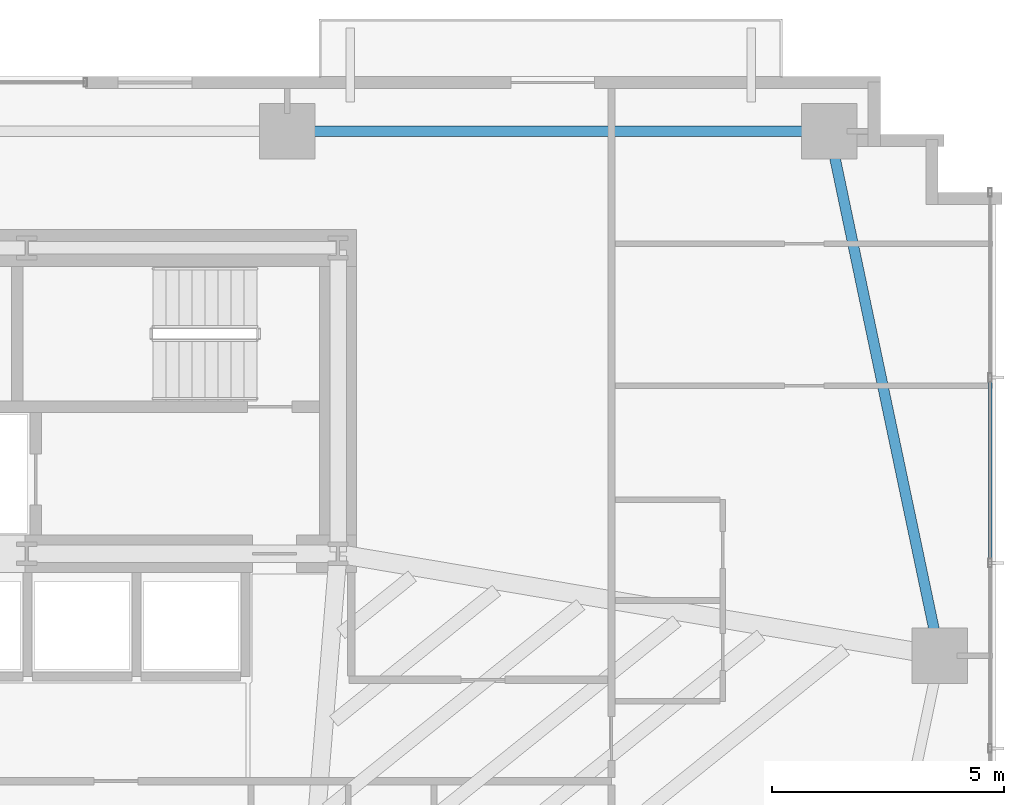
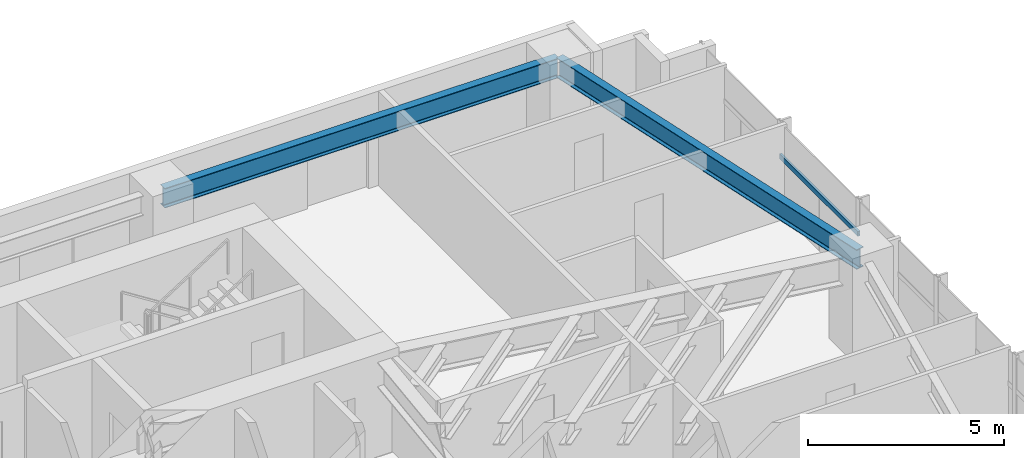
# One storey, part 16 of 25: 2 beams, 1 member, 1 element without a shape of its own.
"""IFC4 building model written with IfcOpenShell, lengths in metres."""

import ifcopenshell
import ifcopenshell.guid

model = None  # the IFC model being written
_history = None  # IfcOwnerHistory: only IFC2X3 demands one
_inside = {}  # id of a spatial element -> (the spatial element, [elements in it])
_under = {}  # id of a project, library or spatial element -> (it, [spatial elements below it])
_declared = {}  # id of a project -> (the project, [libraries it declares])
_typed = {}  # id of a type object -> (the type object, [elements of that type])
_made_of = {}  # id of a material, layer set ... -> (it, [elements and type objects made of it])


def new_model(schema):
    """Start an empty IFC model of exactly this schema.

    Asked for "IFC4X3", IfcOpenShell would pick the latest addendum, in which some entities
    have other attributes; the version numbers below select the first issue.
    IFC2X3 requires an IfcOwnerHistory on every rooted entity: one is made here for all.
    """
    global model, _history
    if schema == "IFC4X3":
        model = ifcopenshell.file(schema_version=(4, 3, 0, 0))
    else:
        model = ifcopenshell.file(schema=schema)
    _inside.clear()
    _under.clear()
    _declared.clear()
    _typed.clear()
    _made_of.clear()
    _history = None
    if model.schema == "IFC2X3":
        org = make("IfcOrganization", Name="unknown")
        user = make(
            "IfcPersonAndOrganization",
            ThePerson=make("IfcPerson", FamilyName="unknown"),
            TheOrganization=org,
        )
        app = make(
            "IfcApplication",
            ApplicationDeveloper=org,
            Version="unknown",
            ApplicationFullName="unknown",
            ApplicationIdentifier="unknown",
        )
        _history = make(
            "IfcOwnerHistory",
            OwningUser=user,
            OwningApplication=app,
            ChangeAction="ADDED",
            CreationDate=0,
        )
    return model


def make(cls, **values):
    """One entity of the class cls with the attributes given. An attribute that is None is left unset."""
    return model.create_entity(
        cls, **{name: value for name, value in values.items() if value is not None}
    )


def rooted(cls, **values):
    """An entity with a GlobalId (a new one), such as an element, a storey or a relation."""
    return make(cls, GlobalId=ifcopenshell.guid.new(), OwnerHistory=_history, **values)


def si_unit(unit_type, name, prefix=None):
    """IfcSIUnit, for example si_unit("LENGTHUNIT", "METRE", prefix="MILLI")."""
    return make("IfcSIUnit", UnitType=unit_type, Prefix=prefix, Name=name)


def assignment(units):
    """IfcUnitAssignment: the units of a project."""
    return None if units is None else make("IfcUnitAssignment", Units=units)


def point(xyz):
    """IfcCartesianPoint."""
    return None if xyz is None else make("IfcCartesianPoint", Coordinates=xyz)


def direction(xyz):
    """IfcDirection."""
    return None if xyz is None else make("IfcDirection", DirectionRatios=xyz)


def frame(location, z_axis=None, x_axis=None):
    """IfcAxis2Placement3D, a coordinate frame: its origin and axes. An axis left out is left unset."""
    return make(
        "IfcAxis2Placement3D",
        Location=point(location),
        Axis=direction(z_axis),
        RefDirection=direction(x_axis),
    )


def frame_2d(location, x_axis=None):
    """IfcAxis2Placement2D, a coordinate frame in the plane: its origin and x axis."""
    return make(
        "IfcAxis2Placement2D", Location=point(location), RefDirection=direction(x_axis)
    )


def origin():
    """The frame at (0, 0, 0) with its axes left unset."""
    return frame((0.0, 0.0, 0.0))


def origin_2d():
    """The frame at (0, 0) in the plane with its x axis left unset."""
    return frame_2d((0.0, 0.0))


def place(relative_to, where):
    """IfcLocalPlacement: puts the frame where relative to a parent placement (None: the world)."""
    return make(
        "IfcLocalPlacement", PlacementRelTo=relative_to, RelativePlacement=where
    )


def context(
    kind, dimensions, precision=None, world=None, true_north=None, identifier=None
):
    """IfcGeometricRepresentationContext, for example the 3D "Model" context."""
    return make(
        "IfcGeometricRepresentationContext",
        ContextIdentifier=identifier,
        ContextType=kind,
        CoordinateSpaceDimension=dimensions,
        Precision=precision,
        WorldCoordinateSystem=world,
        TrueNorth=true_north,
    )


def subcontext(parent, identifier, kind, view, scale=None):
    """IfcGeometricRepresentationSubContext, for example "Body" below "Model"."""
    return make(
        "IfcGeometricRepresentationSubContext",
        ContextIdentifier=identifier,
        ContextType=kind,
        ParentContext=parent,
        TargetScale=scale,
        TargetView=view,
    )


def project(units=None, contexts=None):
    """IfcProject with its units and contexts."""
    return rooted(
        "IfcProject",
        Name="project",
        RepresentationContexts=contexts,
        UnitsInContext=assignment(units),
    )


def spatial(cls, under=None, at=None, **own):
    """A site, building, storey or space (cls), placed at a placement, below another one or the project."""
    s = rooted(cls, ObjectPlacement=at, **own)
    if under is not None:
        _under.setdefault(under.id(), (under, []))[1].append(s)
    return s


def profile(cls, at=None, kind="AREA", **sizes):
    """A parametric profile (cls). Its sizes go by their IFC names, for example OverallWidth=200.0."""
    return make(cls, ProfileType=kind, Position=at, **sizes)


def hollow_rectangle(**sizes):
    """IfcRectangleHollowProfileDef."""
    return profile("IfcRectangleHollowProfileDef", **sizes)


def i_section(**sizes):
    """IfcIShapeProfileDef."""
    return profile("IfcIShapeProfileDef", **sizes)


def extrude(swept, where, along, depth):
    """IfcExtrudedAreaSolid: the profile swept, set in the frame where, extruded along a direction by depth."""
    return make(
        "IfcExtrudedAreaSolid",
        SweptArea=swept,
        Position=where,
        ExtrudedDirection=direction(along),
        Depth=depth,
    )


def shape(context_of_items, identifier, shape_type, items):
    """IfcShapeRepresentation: the items that make up one representation, for example the "Body"."""
    return make(
        "IfcShapeRepresentation",
        ContextOfItems=context_of_items,
        RepresentationIdentifier=identifier,
        RepresentationType=shape_type,
        Items=items,
    )


def source(mapping_origin, context_of_items, identifier, shape_type, items):
    """IfcRepresentationMap: a shape defined once, which mapped items show again and again."""
    return make(
        "IfcRepresentationMap",
        MappingOrigin=mapping_origin,
        MappedRepresentation=shape(context_of_items, identifier, shape_type, items),
    )


def transform(
    local_origin,
    x_axis=None,
    y_axis=None,
    z_axis=None,
    scale=None,
    scale2=None,
    scale3=None,
    uniform=True,
):
    """IfcCartesianTransformationOperator3D, or its non-uniform kind. x_axis, y_axis, z_axis: its Axis1, 2, 3."""
    if uniform:
        return make(
            "IfcCartesianTransformationOperator3D",
            Axis1=direction(x_axis),
            Axis2=direction(y_axis),
            LocalOrigin=point(local_origin),
            Scale=scale,
            Axis3=direction(z_axis),
        )
    return make(
        "IfcCartesianTransformationOperator3DnonUniform",
        Axis1=direction(x_axis),
        Axis2=direction(y_axis),
        LocalOrigin=point(local_origin),
        Scale=scale,
        Axis3=direction(z_axis),
        Scale2=scale2,
        Scale3=scale3,
    )


def mapped(mapping_source, mapping_target):
    """IfcMappedItem: shows the shape of a source again, moved by a transform."""
    return make(
        "IfcMappedItem", MappingSource=mapping_source, MappingTarget=mapping_target
    )


def material(Name=None, Category=None):
    """IfcMaterial."""
    return make("IfcMaterial", Name=Name, Category=Category)


def material_profile(
    of_material, cross_section, Name=None, Category=None, Priority=None
):
    """IfcMaterialProfile: a cross section and its material."""
    return make(
        "IfcMaterialProfile",
        Name=Name,
        Material=of_material,
        Profile=cross_section,
        Priority=Priority,
        Category=Category,
    )


def profile_set(profiles, Name=None, composite=None):
    """IfcMaterialProfileSet."""
    return make(
        "IfcMaterialProfileSet",
        Name=Name,
        MaterialProfiles=profiles,
        CompositeProfile=composite,
    )


def made_of(thing, what):
    """Note that an element or type object is made of a material, layer set ...; save() writes the relation."""
    if what is not None:
        _made_of.setdefault(what.id(), (what, []))[1].append(thing)
    return thing


def type_object(cls, material=None, **own):
    """A type object (cls), such as IfcWallType, which elements share."""
    return made_of(rooted(cls, **own), material)


def type_shapes(of_type, sources):
    """Give a type object the sources (RepresentationMaps) that its elements show as mapped items."""
    of_type.RepresentationMaps = sources


def element(
    cls,
    number,
    at=None,
    inside=None,
    cuts=None,
    type_object=None,
    material=None,
    context=None,
    identifier="Body",
    shape_type=None,
    held_by="IfcProductDefinitionShape",
    body=None,
    shapes=None,
    **own,
):
    """One element of the class cls, such as IfcWall. Its Tag is "e" and its number.

    at: its placement. inside: the storey or other place that contains it. cuts: it is an
    opening in that element (IfcRelVoidsElement). A single representation is given by context,
    identifier, shape_type and body (its items); several are given by shapes. held_by: the class
    of the entity that holds the representations. save() writes the other relations.
    """
    e = rooted(cls, Tag="e%d" % number, ObjectPlacement=at, **own)
    if body is not None:
        shapes = [shape(context, identifier, shape_type, body)]
    if shapes is not None:
        e.Representation = make(held_by, Representations=shapes)
    if inside is not None:
        _inside.setdefault(inside.id(), (inside, []))[1].append(e)
    if cuts is not None:
        rooted(
            "IfcRelVoidsElement", RelatingBuildingElement=cuts, RelatedOpeningElement=e
        )
    if type_object is not None:
        _typed.setdefault(type_object.id(), (type_object, []))[1].append(e)
    return made_of(e, material)


def aggregate(whole, parts):
    """IfcRelAggregates: a whole, such as a stair, and the parts it consists of."""
    return rooted("IfcRelAggregates", RelatingObject=whole, RelatedObjects=parts)


def save(model, path):
    """Write the relations noted so far, then the file.

    IfcRelAggregates (storeys below a building ...), IfcRelContainedInSpatialStructure (elements
    in a storey), IfcRelDefinesByType, IfcRelAssociatesMaterial and IfcRelDeclares: one each for
    every whole, place, type object, material and project.
    """
    for whole, parts in _under.values():
        aggregate(whole, parts)
    for where, things in _inside.values():
        rooted(
            "IfcRelContainedInSpatialStructure",
            RelatedElements=things,
            RelatingStructure=where,
        )
    for kind, things in _typed.values():
        rooted("IfcRelDefinesByType", RelatedObjects=things, RelatingType=kind)
    for what, things in _made_of.values():
        rooted("IfcRelAssociatesMaterial", RelatedObjects=things, RelatingMaterial=what)
    for by, libraries in _declared.values():
        rooted("IfcRelDeclares", RelatingContext=by, RelatedDefinitions=libraries)
    model.write(path)


model = new_model("IFC4")

# Units and contexts
model_context = context("Model", 3, precision=1e-05, world=origin(), true_north=direction((0.0, 1.0)))
body_context = subcontext(model_context, "Body", "Model", "MODEL_VIEW")
ifc_project = project(units=[si_unit("LENGTHUNIT", "METRE"), si_unit("AREAUNIT", "SQUARE_METRE"), si_unit("VOLUMEUNIT", "CUBIC_METRE"), si_unit("PLANEANGLEUNIT", "RADIAN"), si_unit("MASSUNIT", "GRAM", prefix="KILO")], contexts=[model_context])

# Site, building, storey
site_placement = place(None, origin())
site = spatial("IfcSite", under=ifc_project, at=site_placement, CompositionType="ELEMENT")
building_placement = place(site_placement, origin())
building = spatial("IfcBuilding", under=site, at=building_placement, Name="Astriad Promenade Condominiums", CompositionType="ELEMENT")
storey_placement = place(building_placement, frame((0.0, 0.0, 39.0)))
storey = spatial("IfcBuildingStorey", under=building, at=storey_placement, Name="L10", CompositionType="ELEMENT", Elevation=39.0)

# Beams
ifc_material_1 = material(Name="Steel ASTM A992 Grade 50", Category="steel")
ifc_material_profile_1 = material_profile(ifc_material_1, i_section(OverallWidth=0.22900390625, OverallDepth=0.612060546875, WebThickness=0.011962890625, FlangeThickness=0.01953125, FilletRadius=0.017822265625, at=origin_2d()), Name="W24X84")
ifc_profile_set_1 = profile_set([ifc_material_profile_1], Name="Steel ASTM A992 Grade 50")
beam_type = type_object("IfcBeamType", Name="STEEL SPANDREL BEAM W24X84", PredefinedType="SPANDREL", material=ifc_profile_set_1)
shared_shape_1 = source(origin(), body_context, "Body", "SweptSolid", [
    extrude(i_section(OverallWidth=0.22900390625, OverallDepth=0.612060546875, WebThickness=0.011962890625, FlangeThickness=0.01953125, FilletRadius=0.017822265625, at=origin_2d()), origin(), (0.0, 0.0, 1.0), 11.619873046875),
])
beam_1_placement = place(storey_placement, frame((56.159912109375, 26.52001953125, 2.6337890625), z_axis=(-1.0, 0.0, 0.0), x_axis=(0.0, -1.0, 0.0)))
element("IfcBeam", 1, at=beam_1_placement, inside=storey, type_object=beam_type, Name="Perimeter Spandrel Beam SP-N4-L10", PredefinedType="SPANDREL", context=body_context, shape_type="MappedRepresentation", body=[
    mapped(shared_shape_1, transform((0.0, 0.0, 0.0), scale=1.0)),
])
shared_shape_2 = source(origin(), body_context, "Body", "SweptSolid", [
    extrude(i_section(OverallWidth=0.22900390625, OverallDepth=0.612060546875, WebThickness=0.011962890625, FlangeThickness=0.01953125, FilletRadius=0.017822265625, at=origin_2d()), origin(), (0.0, 0.0, 1.0), 11.48779296875),
])
type_shapes(beam_type, [shared_shape_1, shared_shape_2])
beam_2_placement = place(storey_placement, frame((58.57177734375, 15.239013671875, 2.6337890625), z_axis=(-0.205743776427, 0.978605895374, 0.0), x_axis=(-0.978605895374, -0.205743776427, 0.0)))
element("IfcBeam", 2, at=beam_2_placement, inside=storey, type_object=beam_type, Name="Perimeter Spandrel Beam SP-E2-L10", PredefinedType="SPANDREL", context=body_context, shape_type="MappedRepresentation", body=[
    mapped(shared_shape_2, transform((0.0, 0.0, 0.0), scale=1.0)),
])

# Curtain wall, member
ifc_material_2 = material(Name="Anodised aluminium Black Dark Glass Unitised", Category="aluminium")
curtain_wall_type = type_object("IfcCurtainWallType", Name="CW-B1-DARK", PredefinedType="USERDEFINED", material=ifc_material_2)
curtain_wall_placement = place(storey_placement, origin())
curtain_wall = element("IfcCurtainWall", 3, at=curtain_wall_placement, inside=storey, type_object=curtain_wall_type, Name="CW-L10-E", ObjectType="UNITISED_CURTAIN_WALL", PredefinedType="USERDEFINED")
ifc_material_3 = material(Name="Anodised aluminium 6063-T6 Black", Category="aluminium")
ifc_material_profile_2 = material_profile(ifc_material_3, hollow_rectangle(XDim=0.074951171875, YDim=0.14990234375, WallThickness=0.004150390625, at=origin_2d()), Name="ALU-TRN-75X150")
ifc_profile_set_2 = profile_set([ifc_material_profile_2], Name="Anodised aluminium 6063-T6 Black")
member_type = type_object("IfcMemberType", Name="TRN-ALU-TRN-75X150", PredefinedType="USERDEFINED", material=ifc_profile_set_2)
shared_shape_3 = source(origin(), body_context, "Body", "SweptSolid", [
    extrude(hollow_rectangle(XDim=0.074951171875, YDim=0.14990234375, WallThickness=0.004150390625, at=origin_2d()), origin(), (0.0, 0.0, 1.0), 4.0),
])
type_shapes(member_type, [shared_shape_3])
member_placement = place(storey_placement, frame((59.669921875, 21.199951171875, 1.82275390625), z_axis=(0.0, -1.0, 0.0), x_axis=(1.0, 0.0, 0.0)))
member = element("IfcMember", 4, at=member_placement, type_object=member_type, Name="CW-L10-E-TRN-01-0", ObjectType="TRANSOM", PredefinedType="USERDEFINED", context=body_context, shape_type="MappedRepresentation", body=[
    mapped(shared_shape_3, transform((0.0, 0.0, 0.0), scale=1.0)),
])
aggregate(curtain_wall, [member])

save(model, "model.ifc")
